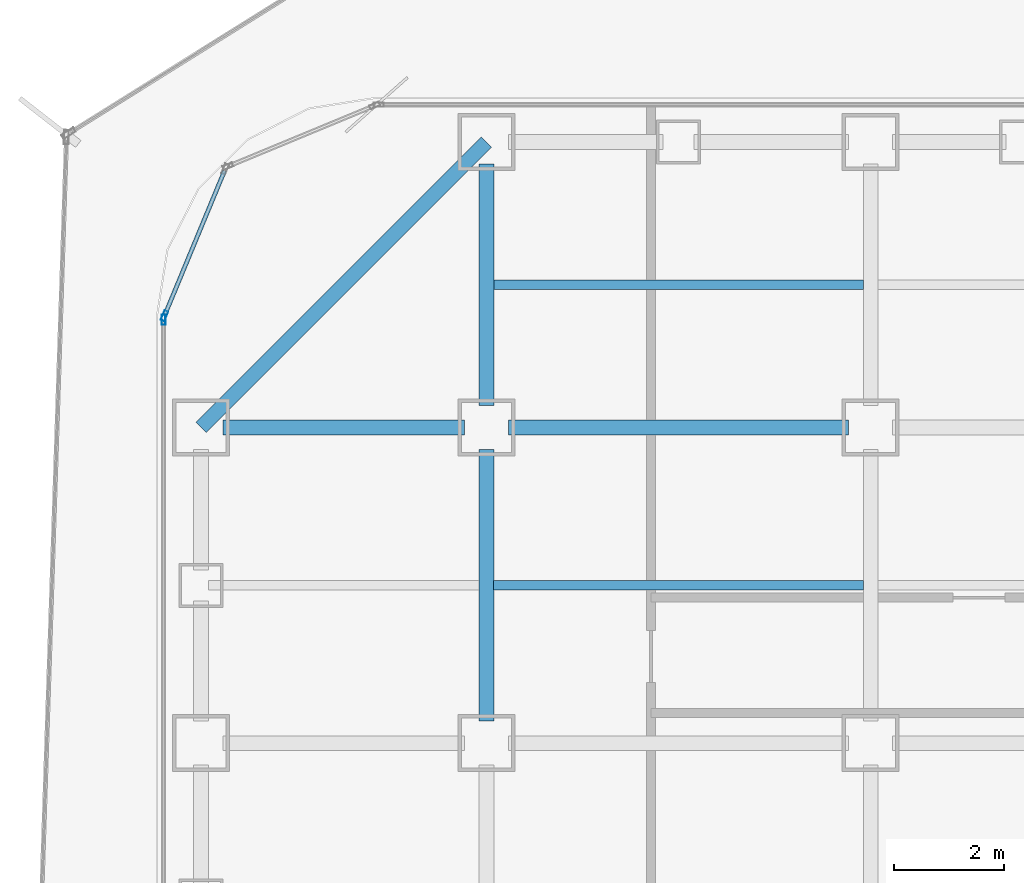
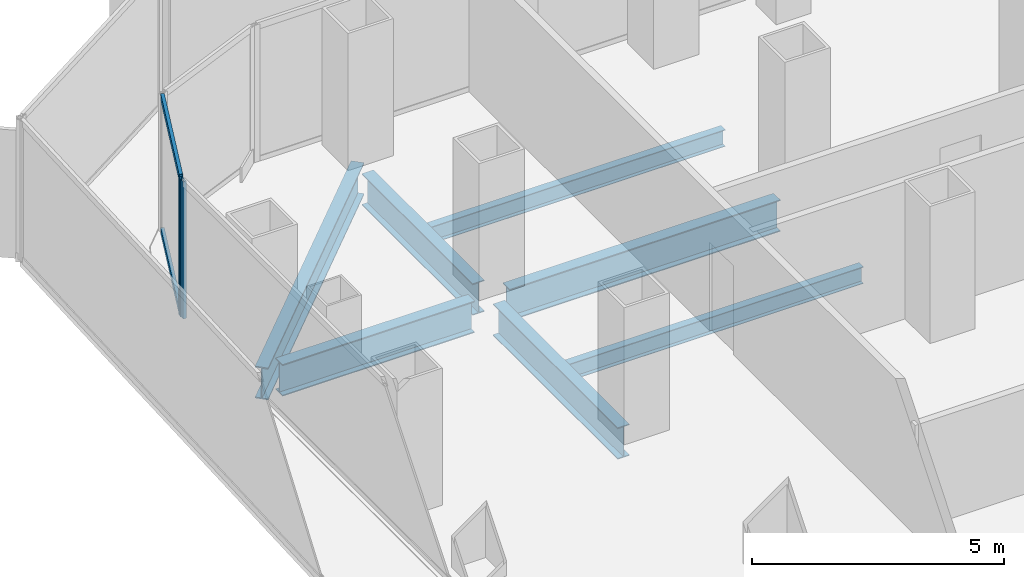
# One storey, part 10 of 22: 7 beams, 4 members, 2 elements without a shape of their own.
"""IFC4 building model written with IfcOpenShell, lengths in metres."""

from ifc_helpers import new_model, si_unit, direction, frame, origin, origin_2d, place, context, subcontext, project, spatial, hollow_rectangle, i_section, extrude, source, transform, mapped, material, layer, layer_set, material_profile, profile_set, type_object, element, aggregate, save


model = new_model("IFC4")

# Units and contexts
model_context = context("Model", 3, precision=1e-05, world=origin(), true_north=direction((0.0, 1.0)))
body_context = subcontext(model_context, "Body", "Model", "MODEL_VIEW")
ifc_project = project(units=[si_unit("LENGTHUNIT", "METRE"), si_unit("AREAUNIT", "SQUARE_METRE"), si_unit("VOLUMEUNIT", "CUBIC_METRE"), si_unit("PLANEANGLEUNIT", "RADIAN"), si_unit("MASSUNIT", "GRAM", prefix="KILO")], contexts=[model_context])

# Site, building, storey
site_placement = place(None, origin())
site = spatial("IfcSite", under=ifc_project, at=site_placement, CompositionType="ELEMENT")
building_placement = place(site_placement, origin())
building = spatial("IfcBuilding", under=site, at=building_placement, Name="Kolveth Station Tower", CompositionType="ELEMENT")
storey_placement = place(building_placement, frame((0.0, 0.0, 51.300048828125)))
storey = spatial("IfcBuildingStorey", under=building, at=storey_placement, Name="L13", CompositionType="ELEMENT", Elevation=51.300048828125)

# Beams
ifc_material_1 = material(Name="Steel S355", Category="steel")
ifc_material_profile_1 = material_profile(ifc_material_1, i_section(OverallWidth=0.26904296875, OverallDepth=0.77490234375, WebThickness=0.01708984375, FlangeThickness=0.0283203125, at=origin_2d()), Name="W760x220")
ifc_profile_set_1 = profile_set([ifc_material_profile_1], Name="Steel S355")
beam_type_1 = type_object("IfcBeamType", Name="Beam_SP1", PredefinedType="SPANDREL", material=ifc_profile_set_1)
shared_shape_1 = source(origin(), body_context, "Body", "SweptSolid", [
    extrude(i_section(OverallWidth=0.26904296875, OverallDepth=0.77490234375, WebThickness=0.01708984375, FlangeThickness=0.0283203125, at=origin_2d()), origin(), (0.0, 0.0, 1.0), 7.353759765625),
])
beam_1_placement = place(storey_placement, frame((6.0, 39.699951171875, -0.66748046875), z_axis=(-0.707106781187, -0.707106781187, 0.0), x_axis=(0.707106781187, -0.707106781187, 0.0)))
element("IfcBeam", 1, at=beam_1_placement, inside=storey, type_object=beam_type_1, Name="L13 Corner Edge Girder BM-L13-CNR-NW", PredefinedType="SPANDREL", context=body_context, shape_type="MappedRepresentation", body=[
    mapped(shared_shape_1, transform((0.0, 0.0, 0.0), x_axis=(1.0, 0.0, 0.0), y_axis=(0.0, 1.0, 0.0), z_axis=(0.0, 0.0, 1.0), scale=1.0)),
])
ifc_material_profile_2 = material_profile(ifc_material_1, i_section(OverallWidth=0.26708984375, OverallDepth=0.76611328125, WebThickness=0.014892578125, FlangeThickness=0.023681640625, at=origin_2d()), Name="W760x185")
ifc_profile_set_2 = profile_set([ifc_material_profile_2], Name="Steel S355")
beam_type_2 = type_object("IfcBeamType", Name="Beam_B3", PredefinedType="BEAM", material=ifc_profile_set_2)
shared_shape_2 = source(origin(), body_context, "Body", "SweptSolid", [
    extrude(i_section(OverallWidth=0.26708984375, OverallDepth=0.76611328125, WebThickness=0.014892578125, FlangeThickness=0.023681640625, at=origin_2d()), origin(), (0.0, 0.0, 1.0), 4.400146484375),
])
for number, where, z_axis, x_axis, name in (
    (2, (1.199951171875, 34.5, -0.6630859375), (1.0, 0.0, 0.0), (0.0, 1.0, 0.0), "L13 Primary Girder BM-L13-GY345-1"),
    (3, (6.0, 34.89990234375, -0.6630859375), (0.0, 1.0, 0.0), (-1.0, 0.0, 0.0), "L13 Primary Girder BM-L13-GX60-7"),
):
    element("IfcBeam", number, at=place(storey_placement, frame(where, z_axis=z_axis, x_axis=x_axis)), inside=storey, type_object=beam_type_2, Name=name, PredefinedType="BEAM", context=body_context, shape_type="MappedRepresentation", body=[
        mapped(shared_shape_2, transform((0.0, 0.0, 0.0), x_axis=(1.0, 0.0, 0.0), y_axis=(0.0, 1.0, 0.0), z_axis=(0.0, 0.0, 1.0), scale=1.0)),
    ])
shared_shape_3 = source(origin(), body_context, "Body", "SweptSolid", [
    extrude(i_section(OverallWidth=0.26708984375, OverallDepth=0.76611328125, WebThickness=0.014892578125, FlangeThickness=0.023681640625, at=origin_2d()), origin(), (0.0, 0.0, 1.0), 6.2001953125),
])
beam_2_placement = place(storey_placement, frame((6.39990234375, 34.5, -0.6630859375), z_axis=(1.0, 0.0, 0.0), x_axis=(0.0, 1.0, 0.0)))
element("IfcBeam", 4, at=beam_2_placement, inside=storey, type_object=beam_type_2, Name="L13 Primary Girder BM-L13-GY345-2", PredefinedType="BEAM", context=body_context, shape_type="MappedRepresentation", body=[
    mapped(shared_shape_3, transform((0.0, 0.0, 0.0), x_axis=(1.0, 0.0, 0.0), y_axis=(0.0, 1.0, 0.0), z_axis=(0.0, 0.0, 1.0), scale=1.0)),
])
shared_shape_4 = source(origin(), body_context, "Body", "SweptSolid", [
    extrude(i_section(OverallWidth=0.26708984375, OverallDepth=0.76611328125, WebThickness=0.014892578125, FlangeThickness=0.023681640625, at=origin_2d()), origin(), (0.0, 0.0, 1.0), 4.9501953125),
])
beam_3_placement = place(storey_placement, frame((6.0, 29.14990234375, -0.6630859375), z_axis=(0.0, 1.0, 0.0), x_axis=(-1.0, 0.0, 0.0)))
element("IfcBeam", 5, at=beam_3_placement, inside=storey, type_object=beam_type_2, Name="L13 Primary Girder BM-L13-GX60-6", PredefinedType="BEAM", context=body_context, shape_type="MappedRepresentation", body=[
    mapped(shared_shape_4, transform((0.0, 0.0, 0.0), x_axis=(1.0, 0.0, 0.0), y_axis=(0.0, 1.0, 0.0), z_axis=(0.0, 0.0, 1.0), scale=1.0)),
])
ifc_material_profile_3 = material_profile(ifc_material_1, i_section(OverallWidth=0.177978515625, OverallDepth=0.406982421875, WebThickness=0.0078125, FlangeThickness=0.0126953125, at=origin_2d()), Name="W410x60")
ifc_profile_set_3 = profile_set([ifc_material_profile_3], Name="Steel S355")
beam_type_3 = type_object("IfcBeamType", Name="Beam_J1", PredefinedType="JOIST", material=ifc_profile_set_3)
shared_shape_5 = source(origin(), body_context, "Body", "SweptSolid", [
    extrude(i_section(OverallWidth=0.177978515625, OverallDepth=0.406982421875, WebThickness=0.0078125, FlangeThickness=0.0126953125, at=origin_2d()), origin(), (0.0, 0.0, 1.0), 6.73681640625),
])
for number, where, z_axis, x_axis, name in (
    (6, (6.131591796875, 31.625, -0.483642578125), (1.0, 0.0, 0.0), (0.0, 1.0, 0.0), "L13 Secondary Joist JST-L13-2-6"),
    (7, (6.131591796875, 37.10009765625, -0.483642578125), (1.0, 0.0, 0.0), (0.0, 1.0, 0.0), "L13 Secondary Joist JST-L13-2-7"),
):
    element("IfcBeam", number, at=place(storey_placement, frame(where, z_axis=z_axis, x_axis=x_axis)), inside=storey, type_object=beam_type_3, Name=name, PredefinedType="JOIST", context=body_context, shape_type="MappedRepresentation", body=[
        mapped(shared_shape_5, transform((0.0, 0.0, 0.0), x_axis=(1.0, 0.0, 0.0), y_axis=(0.0, 1.0, 0.0), z_axis=(0.0, 0.0, 1.0), scale=1.0)),
    ])

# Curtain wall, member
ifc_material_2 = material(Name="Aluminium 6063-T6 and low-E dark glass", Category="aluminium")
ifc_layer = layer(ifc_material_2, 0.179931640625)
ifc_layer_set = layer_set([ifc_layer], Name="Aluminium 6063-T6 and low-E dark glass")
curtain_wall_type = type_object("IfcCurtainWallType", Name="CurtainWall_CW-Z1", PredefinedType="NOTDEFINED", material=ifc_layer_set)
curtain_wall_1_placement = place(storey_placement, origin())
curtain_wall_1 = element("IfcCurtainWall", 8, at=curtain_wall_1_placement, inside=storey, type_object=curtain_wall_type, Name="L13 Inner Thermal Curtain Wall 8", PredefinedType="NOTDEFINED")
ifc_material_3 = material(Name="Black anodized aluminium 6063-T6", Category="aluminium")
ifc_material_profile_4 = material_profile(ifc_material_3, hollow_rectangle(XDim=0.074951171875, YDim=0.18994140625, WallThickness=0.0048828125, at=origin_2d()), Name="ALU-75x190x5")
ifc_profile_set_4 = profile_set([ifc_material_profile_4], Name="Black anodized aluminium 6063-T6")
member_type_1 = type_object("IfcMemberType", Name="Mullion_ML1", PredefinedType="MULLION", material=ifc_profile_set_4)
shared_shape_6 = source(origin(), body_context, "Body", "SweptSolid", [
    extrude(hollow_rectangle(XDim=0.074951171875, YDim=0.18994140625, WallThickness=0.0048828125, at=origin_2d()), origin(), (0.0, 0.0, 1.0), 3.320068359375),
])
member_1_placement = place(storey_placement, frame((0.13427734375, 36.53466796875, 0.0), z_axis=(0.0, 0.0, 1.0), x_axis=(0.923883857728, -0.382672990201, 0.0)))
member_1 = element("IfcMember", 9, at=member_1_placement, type_object=member_type_1, Name="CW-Z1 mullion 2", PredefinedType="MULLION", context=body_context, shape_type="MappedRepresentation", body=[
    mapped(shared_shape_6, transform((0.0, 0.0, 0.0), x_axis=(1.0, 0.0, 0.0), y_axis=(0.0, 1.0, 0.0), z_axis=(0.0, 0.0, 1.0), scale=1.0)),
])

curtain_wall_2_placement = place(storey_placement, origin())
curtain_wall_2 = element("IfcCurtainWall", 10, at=curtain_wall_2_placement, inside=storey, type_object=curtain_wall_type, Name="L13 Inner Thermal Curtain Wall 9", PredefinedType="NOTDEFINED")
member_2_placement = place(storey_placement, frame((0.1201171875, 36.46240234375, 0.0), z_axis=(0.0, 0.0, 1.0), x_axis=(1.0, 0.0, 0.0)))
member_2 = element("IfcMember", 11, at=member_2_placement, type_object=member_type_1, Name="CW-Z1 mullion 1", PredefinedType="MULLION", context=body_context, shape_type="MappedRepresentation", body=[
    mapped(shared_shape_6, transform((0.0, 0.0, 0.0), x_axis=(1.0, 0.0, 0.0), y_axis=(0.0, 1.0, 0.0), z_axis=(0.0, 0.0, 1.0), scale=1.0)),
])
aggregate(curtain_wall_2, [member_2])

# Member
ifc_material_profile_5 = material_profile(ifc_material_3, hollow_rectangle(XDim=0.074951171875, YDim=0.159912109375, WallThickness=0.0048828125, at=origin_2d()), Name="ALU-75x160x5")
ifc_profile_set_5 = profile_set([ifc_material_profile_5], Name="Black anodized aluminium 6063-T6")
member_type_2 = type_object("IfcMemberType", Name="Transom_TR1", PredefinedType="USERDEFINED", material=ifc_profile_set_5)
shared_shape_7 = source(origin(), body_context, "Body", "SweptSolid", [
    extrude(hollow_rectangle(XDim=0.074951171875, YDim=0.159912109375, WallThickness=0.0048828125, at=origin_2d()), origin(), (0.0, 0.0, 1.0), 2.819580078125),
])
member_3_placement = place(storey_placement, frame((1.227783203125, 39.17431640625, 0.037353515625), z_axis=(-0.382708655389, -0.923869084389, 0.0), x_axis=(0.923869084389, -0.382708655389, 0.0)))
member_3 = element("IfcMember", 12, at=member_3_placement, type_object=member_type_2, Name="CW-Z1 transom 1.1", ObjectType="TRANSOM", PredefinedType="USERDEFINED", context=body_context, shape_type="MappedRepresentation", body=[
    mapped(shared_shape_7, transform((0.0, 0.0, 0.0), x_axis=(1.0, 0.0, 0.0), y_axis=(0.0, 1.0, 0.0), z_axis=(0.0, 0.0, 1.0), scale=1.0)),
])

member_4_placement = place(storey_placement, frame((1.227783203125, 39.17431640625, 3.282470703125), z_axis=(-0.382708655389, -0.923869084389, 0.0), x_axis=(0.923869084389, -0.382708655389, 0.0)))
member_4 = element("IfcMember", 13, at=member_4_placement, type_object=member_type_2, Name="CW-Z1 transom 1.2", ObjectType="TRANSOM", PredefinedType="USERDEFINED", context=body_context, shape_type="MappedRepresentation", body=[
    mapped(shared_shape_7, transform((0.0, 0.0, 0.0), x_axis=(1.0, 0.0, 0.0), y_axis=(0.0, 1.0, 0.0), z_axis=(0.0, 0.0, 1.0), scale=1.0)),
])

aggregate(curtain_wall_1, [member_1, member_3, member_4])

save(model, "model.ifc")
